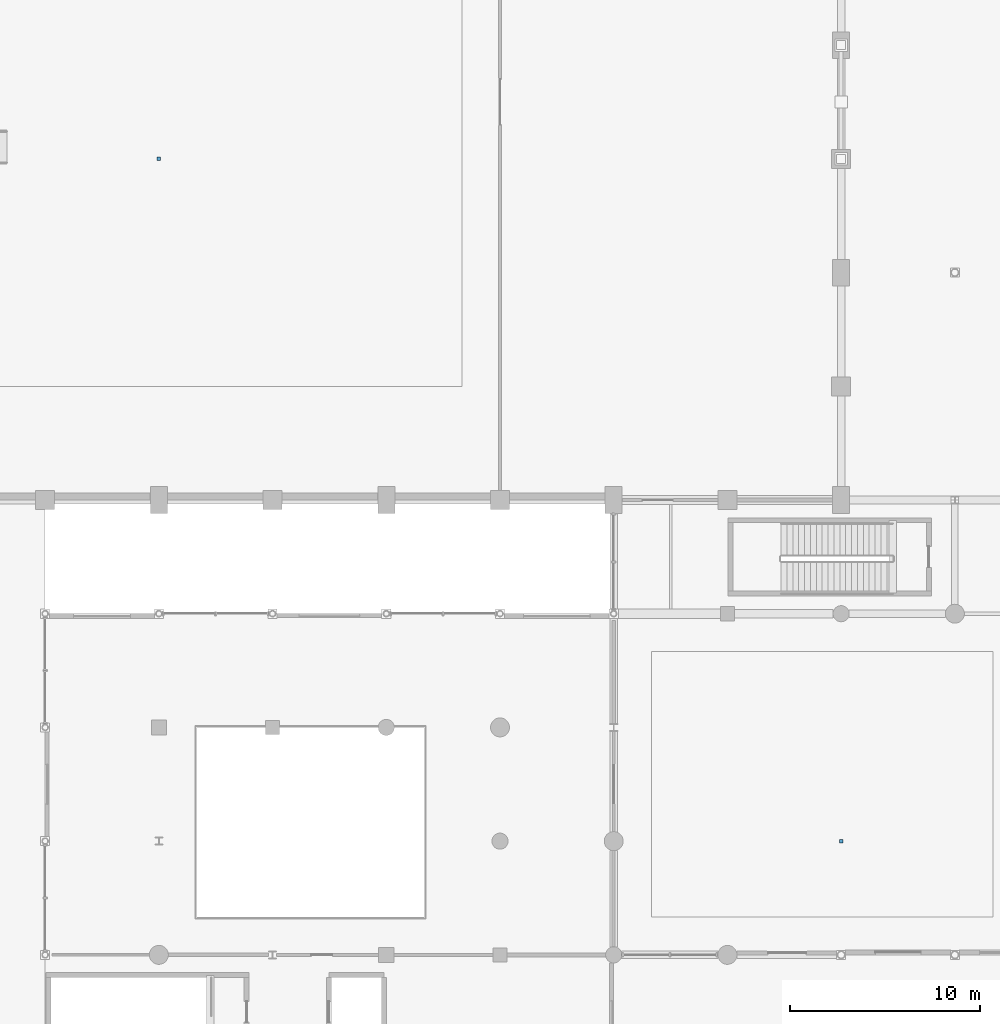
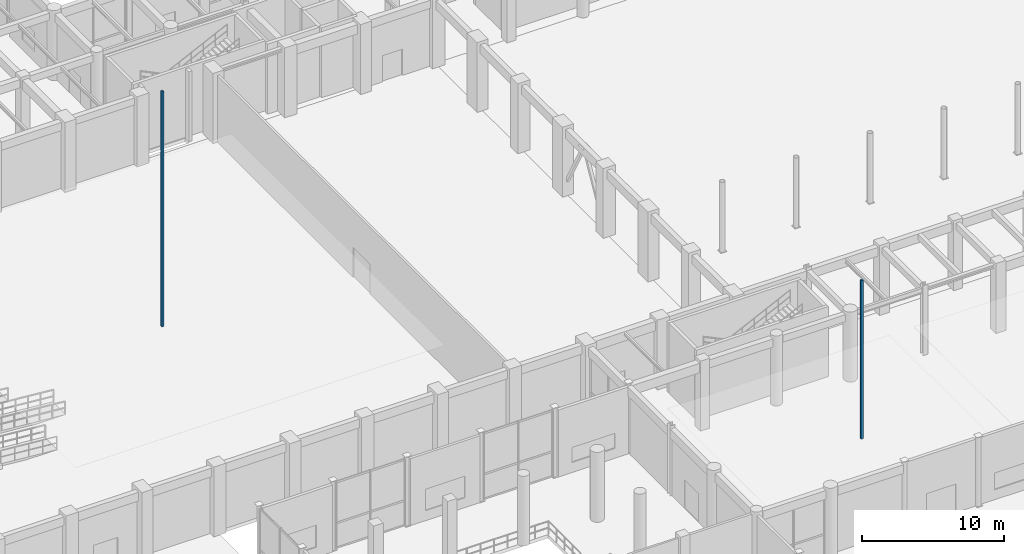
# One storey, part 94 of 106: 2 discrete accessories.
"""IFC4 building model written with IfcOpenShell, lengths in metres."""

from ifc_helpers import new_model, si_unit, direction, frame, origin, origin_2d, place, context, subcontext, project, spatial, rectangle, extrude, material, type_object, element, save


model = new_model("IFC4")

# Units and contexts
model_context = context("Model", 3, precision=1e-05, world=origin(), true_north=direction((0.0, 1.0)))
body_context = subcontext(model_context, "Body", "Model", "MODEL_VIEW")
ifc_project = project(units=[si_unit("LENGTHUNIT", "METRE"), si_unit("AREAUNIT", "SQUARE_METRE"), si_unit("VOLUMEUNIT", "CUBIC_METRE"), si_unit("PLANEANGLEUNIT", "RADIAN"), si_unit("MASSUNIT", "GRAM", prefix="KILO"), si_unit("THERMODYNAMICTEMPERATUREUNIT", "KELVIN"), si_unit("POWERUNIT", "WATT")], contexts=[model_context])

# Site, building, storey
site_placement = place(None, origin())
site = spatial("IfcSite", under=ifc_project, at=site_placement, CompositionType="ELEMENT")
building_placement = place(site_placement, origin())
building = spatial("IfcBuilding", under=site, at=building_placement, Name="Phaisarnlok Congress Hotel", CompositionType="ELEMENT")
storey_placement = place(building_placement, origin())
storey = spatial("IfcBuildingStorey", under=building, at=storey_placement, Name="L00", CompositionType="ELEMENT", Elevation=0.0)

# Discrete accessories
ifc_material = material(Name="Steel S355", Category="steel")
discrete_accessory_type = type_object("IfcDiscreteAccessoryType", Name="ACC-HNG-STL", PredefinedType="BRACKET", material=ifc_material)
discrete_accessory_1_placement = place(storey_placement, frame((30.0, 60.0, 4.60498046875), z_axis=(0.0, 0.0, 1.0), x_axis=(1.0, 0.0, 0.0)))
element("IfcDiscreteAccessory", 1, at=discrete_accessory_1_placement, inside=storey, type_object=discrete_accessory_type, Name="Acoustic ceiling steel suspension hanger BK-01", PredefinedType="BRACKET", context=body_context, shape_type="SweptSolid", body=[
    extrude(rectangle(XDim=0.179931640625, YDim=0.179931640625, at=origin_2d()), origin(), (0.0, 0.0, 1.0), 20.195068359375),
])
discrete_accessory_2_placement = place(storey_placement, frame((66.0, 24.0, 4.205078125), z_axis=(0.0, 0.0, 1.0), x_axis=(1.0, 0.0, 0.0)))
element("IfcDiscreteAccessory", 2, at=discrete_accessory_2_placement, inside=storey, type_object=discrete_accessory_type, Name="Acoustic ceiling steel suspension hanger BK-01", PredefinedType="BRACKET", context=body_context, shape_type="SweptSolid", body=[
    extrude(rectangle(XDim=0.179931640625, YDim=0.179931640625, at=origin_2d()), origin(), (0.0, 0.0, 1.0), 13.594970703125),
])

save(model, "model.ifc")
